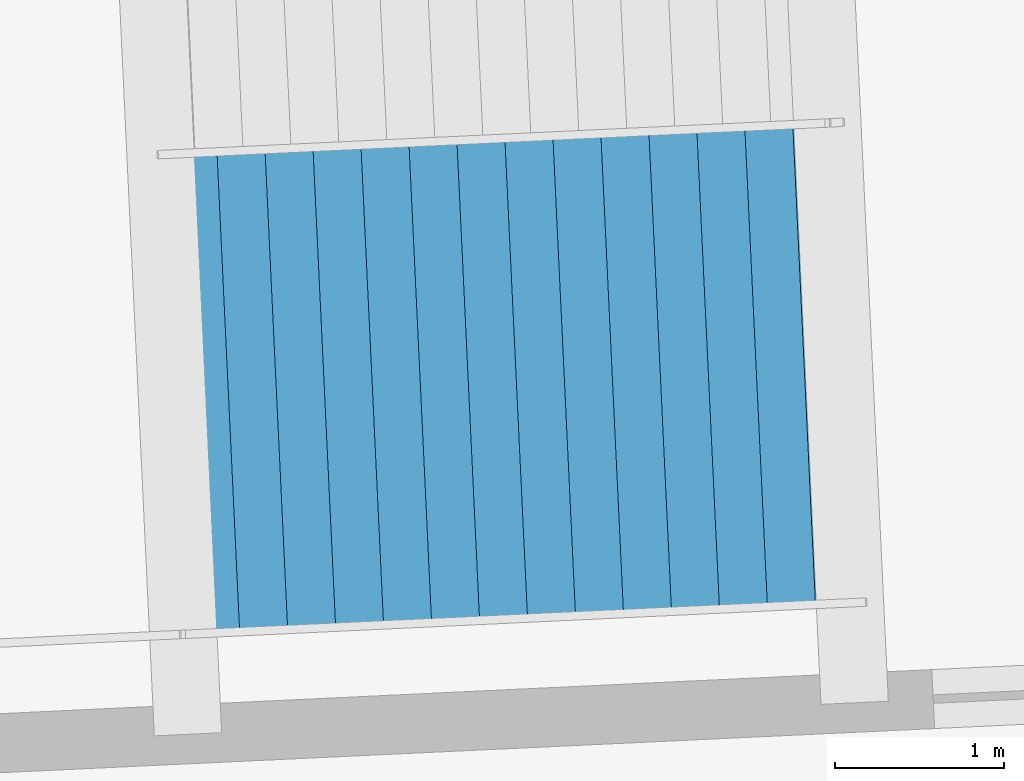
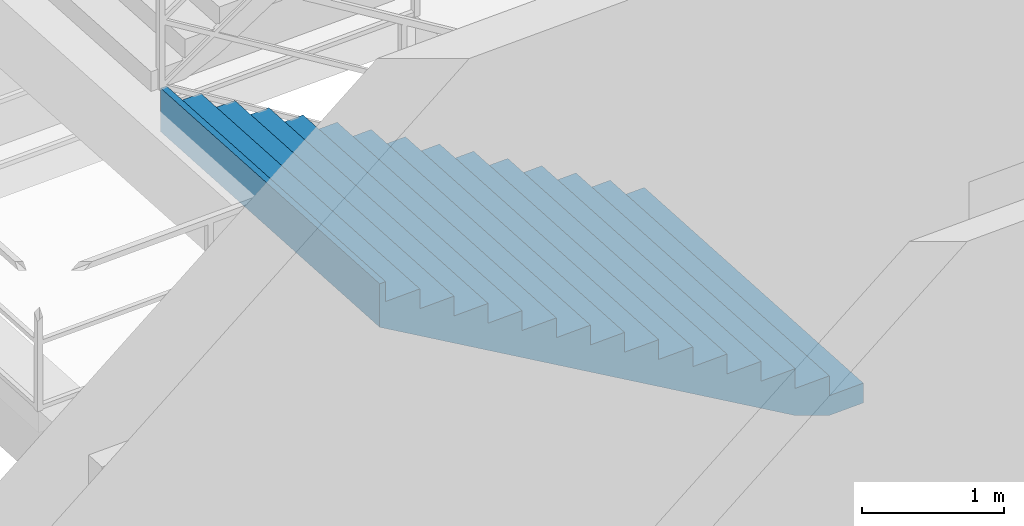
# One storey, part 171 of 184: 1 stair flight, 1 element without a shape of its own.
"""IFC4 building model written with IfcOpenShell, lengths in metres."""

from ifc_helpers import new_model, si_unit, direction, frame, origin, place, context, subcontext, project, spatial, polygons, material, type_object, element, aggregate, save


model = new_model("IFC4")

# Units and contexts
model_context = context("Model", 3, precision=1e-05, world=origin(), true_north=direction((0.0, 1.0)))
body_context = subcontext(model_context, "Body", "Model", "MODEL_VIEW")
ifc_project = project(units=[si_unit("LENGTHUNIT", "METRE"), si_unit("AREAUNIT", "SQUARE_METRE"), si_unit("VOLUMEUNIT", "CUBIC_METRE"), si_unit("PLANEANGLEUNIT", "RADIAN"), si_unit("MASSUNIT", "GRAM", prefix="KILO")], contexts=[model_context])

# Site, building, storey
site_placement = place(None, origin())
site = spatial("IfcSite", under=ifc_project, at=site_placement, CompositionType="ELEMENT")
building_placement = place(site_placement, origin())
building = spatial("IfcBuilding", under=site, at=building_placement, Name="Kazemori Nagisa Stadium", CompositionType="ELEMENT")
storey_placement = place(building_placement, frame((0.0, 0.0, 10.5400390625)))
storey = spatial("IfcBuildingStorey", under=building, at=storey_placement, Name="L02", CompositionType="ELEMENT", Elevation=10.5400390625)

# Stair, stair flight
ifc_material = material(Name="Concrete C36/45 (Fc36)", Category="concrete")
stair_type = type_object("IfcStairType", Name="Stair_CORE_30", PredefinedType="TWO_STRAIGHT_RUN_STAIR", material=ifc_material)
stair_placement = place(storey_placement, origin())
stair = element("IfcStair", 1, at=stair_placement, inside=storey, type_object=stair_type, Name="Exit stair ST05 L02", PredefinedType="TWO_STRAIGHT_RUN_STAIR")
stair_flight_type = type_object("IfcStairFlightType", Name="Flight_CORE_15", PredefinedType="STRAIGHT", material=ifc_material)
stair_flight_placement = place(storey_placement, frame((119.465087890625, 180.565673828125, 0.0), z_axis=(0.0, 0.0, 1.0), x_axis=(-0.99888372663, -0.047236645449, 0.0)))
stair_flight = element("IfcStairFlight", 2, at=stair_flight_placement, type_object=stair_flight_type, Name="Exit stair ST05 L02 flight 1", NumberOfRisers=15, NumberOfTreads=14, PredefinedType="STRAIGHT", RiserHeight=0.17, TreadLength=0.285, context=body_context, shape_type="Tessellation", body=[
    polygons([(0.0, -1.425048828125, 0.0), (0.0, -1.425048828125, 0.169921875), (0.284912109375, -1.425048828125, 0.169921875), (0.284912109375, -1.425048828125, 0.340087890625), (0.570068359375, -1.425048828125, 0.340087890625), (0.570068359375, -1.425048828125, 0.510009765625), (0.85498046875, -1.425048828125, 0.510009765625), (0.85498046875, -1.425048828125, 0.679931640625), (1.139892578125, -1.425048828125, 0.679931640625), (1.139892578125, -1.425048828125, 0.85009765625), (1.425048828125, -1.425048828125, 0.85009765625), (1.425048828125, -1.425048828125, 1.02001953125), (1.7099609375, -1.425048828125, 1.02001953125), (1.7099609375, -1.425048828125, 1.18994140625), (1.9951171875, -1.425048828125, 1.18994140625), (1.9951171875, -1.425048828125, 1.360107421875), (2.280029296875, -1.425048828125, 1.360107421875), (2.280029296875, -1.425048828125, 1.530029296875), (2.56494140625, -1.425048828125, 1.530029296875), (2.56494140625, -1.425048828125, 1.699951171875), (2.85009765625, -1.425048828125, 1.699951171875), (2.85009765625, -1.425048828125, 1.8701171875), (3.135009765625, -1.425048828125, 1.8701171875), (3.135009765625, -1.425048828125, 2.0400390625), (3.419921875, -1.425048828125, 2.0400390625), (3.419921875, -1.425048828125, 2.2099609375), (3.705078125, -1.425048828125, 2.2099609375), (3.705078125, -1.425048828125, 2.3798828125), (3.989990234375, -1.425048828125, 2.3798828125), (3.989990234375, -1.425048828125, 2.550048828125), (4.0400390625, -1.425048828125, 2.550048828125), (4.0400390625, -1.425048828125, 2.177001953125), (3.989990234375, -1.425048828125, 2.147216796875), (3.705078125, -1.425048828125, 1.977294921875), (3.419921875, -1.425048828125, 1.80712890625), (3.135009765625, -1.425048828125, 1.63720703125), (2.85009765625, -1.425048828125, 1.46728515625), (2.56494140625, -1.425048828125, 1.297119140625), (2.280029296875, -1.425048828125, 1.127197265625), (1.9951171875, -1.425048828125, 0.957275390625), (1.7099609375, -1.425048828125, 0.787109375), (1.425048828125, -1.425048828125, 0.6171875), (1.139892578125, -1.425048828125, 0.447265625), (0.85498046875, -1.425048828125, 0.277099609375), (0.570068359375, -1.425048828125, 0.107177734375), (0.284912109375, -1.425048828125, 0.0), (0.0, -0.08544921875, 0.0), (0.0, -0.08544921875, 0.169921875), (0.284912109375, -0.08544921875, 0.169921875), (0.284912109375, -0.08544921875, 0.340087890625), (0.570068359375, -0.08544921875, 0.340087890625), (0.570068359375, -0.08544921875, 0.510009765625), (0.85498046875, -0.08544921875, 0.510009765625), (0.85498046875, -0.08544921875, 0.679931640625), (1.139892578125, -0.08544921875, 0.679931640625), (1.139892578125, -0.08544921875, 0.85009765625), (1.425048828125, -0.08544921875, 0.85009765625), (1.425048828125, -0.08544921875, 1.02001953125), (1.7099609375, -0.08544921875, 1.02001953125), (1.7099609375, -0.08544921875, 1.18994140625), (1.9951171875, -0.08544921875, 1.18994140625), (1.9951171875, -0.08544921875, 1.360107421875), (2.280029296875, -0.08544921875, 1.360107421875), (2.280029296875, -0.08544921875, 1.530029296875), (2.56494140625, -0.08544921875, 1.530029296875), (2.56494140625, -0.08544921875, 1.699951171875), (2.85009765625, -0.08544921875, 1.699951171875), (2.85009765625, -0.08544921875, 1.8701171875), (3.135009765625, -0.08544921875, 1.8701171875), (3.135009765625, -0.08544921875, 2.0400390625), (3.419921875, -0.08544921875, 2.0400390625), (3.419921875, -0.08544921875, 2.2099609375), (3.705078125, -0.08544921875, 2.2099609375), (3.705078125, -0.08544921875, 2.3798828125), (3.989990234375, -0.08544921875, 2.3798828125), (3.989990234375, -0.08544921875, 2.550048828125), (4.0400390625, -0.08544921875, 2.550048828125), (4.0400390625, -0.08544921875, 2.177001953125), (3.989990234375, -0.08544921875, 2.147216796875), (3.705078125, -0.08544921875, 1.977294921875), (3.419921875, -0.08544921875, 1.80712890625), (3.135009765625, -0.08544921875, 1.63720703125), (2.85009765625, -0.08544921875, 1.46728515625), (2.56494140625, -0.08544921875, 1.297119140625), (2.280029296875, -0.08544921875, 1.127197265625), (1.9951171875, -0.08544921875, 0.957275390625), (1.7099609375, -0.08544921875, 0.787109375), (1.425048828125, -0.08544921875, 0.6171875), (1.139892578125, -0.08544921875, 0.447265625), (0.85498046875, -0.08544921875, 0.277099609375), (0.570068359375, -0.08544921875, 0.107177734375), (0.284912109375, -0.08544921875, 0.0), (0.0, 0.0, 0.0), (0.0, 0.0, 0.169921875), (0.284912109375, 0.0, 0.169921875), (0.284912109375, 0.0, 0.340087890625), (0.570068359375, 0.0, 0.340087890625), (0.570068359375, 0.0, 0.510009765625), (0.85498046875, 0.0, 0.510009765625), (0.85498046875, 0.0, 0.679931640625), (1.139892578125, 0.0, 0.679931640625), (1.139892578125, 0.0, 0.85009765625), (1.425048828125, 0.0, 0.85009765625), (1.425048828125, 0.0, 1.02001953125), (1.7099609375, 0.0, 1.02001953125), (1.7099609375, 0.0, 1.18994140625), (1.9951171875, 0.0, 1.18994140625), (1.9951171875, 0.0, 1.360107421875), (2.280029296875, 0.0, 1.360107421875), (2.280029296875, 0.0, 1.530029296875), (2.56494140625, 0.0, 1.530029296875), (2.56494140625, 0.0, 1.699951171875), (2.85009765625, 0.0, 1.699951171875), (2.85009765625, 0.0, 1.8701171875), (3.135009765625, 0.0, 1.8701171875), (3.135009765625, 0.0, 2.0400390625), (3.419921875, 0.0, 2.0400390625), (3.419921875, 0.0, 2.2099609375), (3.705078125, 0.0, 2.2099609375), (3.705078125, 0.0, 2.3798828125), (3.989990234375, 0.0, 2.3798828125), (3.989990234375, 0.0, 2.550048828125), (4.0400390625, 0.0, 2.550048828125), (4.0400390625, 0.0, 2.177001953125), (3.989990234375, 0.0, 2.147216796875), (3.705078125, 0.0, 1.977294921875), (3.419921875, 0.0, 1.80712890625), (3.135009765625, 0.0, 1.63720703125), (2.85009765625, 0.0, 1.46728515625), (2.56494140625, 0.0, 1.297119140625), (2.280029296875, 0.0, 1.127197265625), (1.9951171875, 0.0, 0.957275390625), (1.7099609375, 0.0, 0.787109375), (1.425048828125, 0.0, 0.6171875), (1.139892578125, 0.0, 0.447265625), (0.85498046875, 0.0, 0.277099609375), (0.570068359375, 0.0, 0.107177734375), (0.284912109375, 0.0, 0.0), (0.0, 0.08544921875, 0.0), (0.0, 0.08544921875, 0.169921875), (0.284912109375, 0.08544921875, 0.169921875), (0.284912109375, 0.08544921875, 0.340087890625), (0.570068359375, 0.08544921875, 0.340087890625), (0.570068359375, 0.08544921875, 0.510009765625), (0.85498046875, 0.08544921875, 0.510009765625), (0.85498046875, 0.08544921875, 0.679931640625), (1.139892578125, 0.08544921875, 0.679931640625), (1.139892578125, 0.08544921875, 0.85009765625), (1.425048828125, 0.08544921875, 0.85009765625), (1.425048828125, 0.08544921875, 1.02001953125), (1.7099609375, 0.08544921875, 1.02001953125), (1.7099609375, 0.08544921875, 1.18994140625), (1.9951171875, 0.08544921875, 1.18994140625), (1.9951171875, 0.08544921875, 1.360107421875), (2.280029296875, 0.08544921875, 1.360107421875), (2.280029296875, 0.08544921875, 1.530029296875), (2.56494140625, 0.08544921875, 1.530029296875), (2.56494140625, 0.08544921875, 1.699951171875), (2.85009765625, 0.08544921875, 1.699951171875), (2.85009765625, 0.08544921875, 1.8701171875), (3.135009765625, 0.08544921875, 1.8701171875), (3.135009765625, 0.08544921875, 2.0400390625), (3.419921875, 0.08544921875, 2.0400390625), (3.419921875, 0.08544921875, 2.2099609375), (3.705078125, 0.08544921875, 2.2099609375), (3.705078125, 0.08544921875, 2.3798828125), (3.989990234375, 0.08544921875, 2.3798828125), (3.989990234375, 0.08544921875, 2.550048828125), (4.0400390625, 0.08544921875, 2.550048828125), (4.0400390625, 0.08544921875, 2.177001953125), (3.989990234375, 0.08544921875, 2.147216796875), (3.705078125, 0.08544921875, 1.977294921875), (3.419921875, 0.08544921875, 1.80712890625), (3.135009765625, 0.08544921875, 1.63720703125), (2.85009765625, 0.08544921875, 1.46728515625), (2.56494140625, 0.08544921875, 1.297119140625), (2.280029296875, 0.08544921875, 1.127197265625), (1.9951171875, 0.08544921875, 0.957275390625), (1.7099609375, 0.08544921875, 0.787109375), (1.425048828125, 0.08544921875, 0.6171875), (1.139892578125, 0.08544921875, 0.447265625), (0.85498046875, 0.08544921875, 0.277099609375), (0.570068359375, 0.08544921875, 0.107177734375), (0.284912109375, 0.08544921875, 0.0), (0.0, 1.425048828125, 0.0), (0.0, 1.425048828125, 0.169921875), (0.284912109375, 1.425048828125, 0.169921875), (0.284912109375, 1.425048828125, 0.340087890625), (0.570068359375, 1.425048828125, 0.340087890625), (0.570068359375, 1.425048828125, 0.510009765625), (0.85498046875, 1.425048828125, 0.510009765625), (0.85498046875, 1.425048828125, 0.679931640625), (1.139892578125, 1.425048828125, 0.679931640625), (1.139892578125, 1.425048828125, 0.85009765625), (1.425048828125, 1.425048828125, 0.85009765625), (1.425048828125, 1.425048828125, 1.02001953125), (1.7099609375, 1.425048828125, 1.02001953125), (1.7099609375, 1.425048828125, 1.18994140625), (1.9951171875, 1.425048828125, 1.18994140625), (1.9951171875, 1.425048828125, 1.360107421875), (2.280029296875, 1.425048828125, 1.360107421875), (2.280029296875, 1.425048828125, 1.530029296875), (2.56494140625, 1.425048828125, 1.530029296875), (2.56494140625, 1.425048828125, 1.699951171875), (2.85009765625, 1.425048828125, 1.699951171875), (2.85009765625, 1.425048828125, 1.8701171875), (3.135009765625, 1.425048828125, 1.8701171875), (3.135009765625, 1.425048828125, 2.0400390625), (3.419921875, 1.425048828125, 2.0400390625), (3.419921875, 1.425048828125, 2.2099609375), (3.705078125, 1.425048828125, 2.2099609375), (3.705078125, 1.425048828125, 2.3798828125), (3.989990234375, 1.425048828125, 2.3798828125), (3.989990234375, 1.425048828125, 2.550048828125), (4.0400390625, 1.425048828125, 2.550048828125), (4.0400390625, 1.425048828125, 2.177001953125), (3.989990234375, 1.425048828125, 2.147216796875), (3.705078125, 1.425048828125, 1.977294921875), (3.419921875, 1.425048828125, 1.80712890625), (3.135009765625, 1.425048828125, 1.63720703125), (2.85009765625, 1.425048828125, 1.46728515625), (2.56494140625, 1.425048828125, 1.297119140625), (2.280029296875, 1.425048828125, 1.127197265625), (1.9951171875, 1.425048828125, 0.957275390625), (1.7099609375, 1.425048828125, 0.787109375), (1.425048828125, 1.425048828125, 0.6171875), (1.139892578125, 1.425048828125, 0.447265625), (0.85498046875, 1.425048828125, 0.277099609375), (0.570068359375, 1.425048828125, 0.107177734375), (0.284912109375, 1.425048828125, 0.0)], [[[1, 2, 48]], [[1, 48, 47]], [[2, 3, 49]], [[2, 49, 48]], [[3, 4, 50]], [[3, 50, 49]], [[4, 5, 51]], [[4, 51, 50]], [[5, 6, 52]], [[5, 52, 51]], [[6, 7, 53]], [[6, 53, 52]], [[7, 8, 54]], [[7, 54, 53]], [[8, 9, 55]], [[8, 55, 54]], [[9, 10, 56]], [[9, 56, 55]], [[10, 11, 57]], [[10, 57, 56]], [[11, 12, 58]], [[11, 58, 57]], [[12, 13, 59]], [[12, 59, 58]], [[13, 14, 60]], [[13, 60, 59]], [[14, 15, 61]], [[14, 61, 60]], [[15, 16, 62]], [[15, 62, 61]], [[16, 17, 63]], [[16, 63, 62]], [[17, 18, 64]], [[17, 64, 63]], [[18, 19, 65]], [[18, 65, 64]], [[19, 20, 66]], [[19, 66, 65]], [[20, 21, 67]], [[20, 67, 66]], [[21, 22, 68]], [[21, 68, 67]], [[22, 23, 69]], [[22, 69, 68]], [[23, 24, 70]], [[23, 70, 69]], [[24, 25, 71]], [[24, 71, 70]], [[25, 26, 72]], [[25, 72, 71]], [[26, 27, 73]], [[26, 73, 72]], [[27, 28, 74]], [[27, 74, 73]], [[28, 29, 75]], [[28, 75, 74]], [[29, 30, 76]], [[29, 76, 75]], [[30, 31, 77]], [[30, 77, 76]], [[31, 32, 78]], [[31, 78, 77]], [[32, 33, 79]], [[32, 79, 78]], [[33, 34, 80]], [[33, 80, 79]], [[34, 35, 81]], [[34, 81, 80]], [[35, 36, 82]], [[35, 82, 81]], [[36, 37, 83]], [[36, 83, 82]], [[37, 38, 84]], [[37, 84, 83]], [[38, 39, 85]], [[38, 85, 84]], [[39, 40, 86]], [[39, 86, 85]], [[40, 41, 87]], [[40, 87, 86]], [[41, 42, 88]], [[41, 88, 87]], [[42, 43, 89]], [[42, 89, 88]], [[43, 44, 90]], [[43, 90, 89]], [[44, 45, 91]], [[44, 91, 90]], [[45, 46, 92]], [[45, 92, 91]], [[46, 1, 47]], [[46, 47, 92]], [[47, 48, 94]], [[47, 94, 93]], [[48, 49, 95]], [[48, 95, 94]], [[49, 50, 96]], [[49, 96, 95]], [[50, 51, 97]], [[50, 97, 96]], [[51, 52, 98]], [[51, 98, 97]], [[52, 53, 99]], [[52, 99, 98]], [[53, 54, 100]], [[53, 100, 99]], [[54, 55, 101]], [[54, 101, 100]], [[55, 56, 102]], [[55, 102, 101]], [[56, 57, 103]], [[56, 103, 102]], [[57, 58, 104]], [[57, 104, 103]], [[58, 59, 105]], [[58, 105, 104]], [[59, 60, 106]], [[59, 106, 105]], [[60, 61, 107]], [[60, 107, 106]], [[61, 62, 108]], [[61, 108, 107]], [[62, 63, 109]], [[62, 109, 108]], [[63, 64, 110]], [[63, 110, 109]], [[64, 65, 111]], [[64, 111, 110]], [[65, 66, 112]], [[65, 112, 111]], [[66, 67, 113]], [[66, 113, 112]], [[67, 68, 114]], [[67, 114, 113]], [[68, 69, 115]], [[68, 115, 114]], [[69, 70, 116]], [[69, 116, 115]], [[70, 71, 117]], [[70, 117, 116]], [[71, 72, 118]], [[71, 118, 117]], [[72, 73, 119]], [[72, 119, 118]], [[73, 74, 120]], [[73, 120, 119]], [[74, 75, 121]], [[74, 121, 120]], [[75, 76, 122]], [[75, 122, 121]], [[76, 77, 123]], [[76, 123, 122]], [[77, 78, 124]], [[77, 124, 123]], [[78, 79, 125]], [[78, 125, 124]], [[79, 80, 126]], [[79, 126, 125]], [[80, 81, 127]], [[80, 127, 126]], [[81, 82, 128]], [[81, 128, 127]], [[82, 83, 129]], [[82, 129, 128]], [[83, 84, 130]], [[83, 130, 129]], [[84, 85, 131]], [[84, 131, 130]], [[85, 86, 132]], [[85, 132, 131]], [[86, 87, 133]], [[86, 133, 132]], [[87, 88, 134]], [[87, 134, 133]], [[88, 89, 135]], [[88, 135, 134]], [[89, 90, 136]], [[89, 136, 135]], [[90, 91, 137]], [[90, 137, 136]], [[91, 92, 138]], [[91, 138, 137]], [[92, 47, 93]], [[92, 93, 138]], [[93, 94, 140]], [[93, 140, 139]], [[94, 95, 141]], [[94, 141, 140]], [[95, 96, 142]], [[95, 142, 141]], [[96, 97, 143]], [[96, 143, 142]], [[97, 98, 144]], [[97, 144, 143]], [[98, 99, 145]], [[98, 145, 144]], [[99, 100, 146]], [[99, 146, 145]], [[100, 101, 147]], [[100, 147, 146]], [[101, 102, 148]], [[101, 148, 147]], [[102, 103, 149]], [[102, 149, 148]], [[103, 104, 150]], [[103, 150, 149]], [[104, 105, 151]], [[104, 151, 150]], [[105, 106, 152]], [[105, 152, 151]], [[106, 107, 153]], [[106, 153, 152]], [[107, 108, 154]], [[107, 154, 153]], [[108, 109, 155]], [[108, 155, 154]], [[109, 110, 156]], [[109, 156, 155]], [[110, 111, 157]], [[110, 157, 156]], [[111, 112, 158]], [[111, 158, 157]], [[112, 113, 159]], [[112, 159, 158]], [[113, 114, 160]], [[113, 160, 159]], [[114, 115, 161]], [[114, 161, 160]], [[115, 116, 162]], [[115, 162, 161]], [[116, 117, 163]], [[116, 163, 162]], [[117, 118, 164]], [[117, 164, 163]], [[118, 119, 165]], [[118, 165, 164]], [[119, 120, 166]], [[119, 166, 165]], [[120, 121, 167]], [[120, 167, 166]], [[121, 122, 168]], [[121, 168, 167]], [[122, 123, 169]], [[122, 169, 168]], [[123, 124, 170]], [[123, 170, 169]], [[124, 125, 171]], [[124, 171, 170]], [[125, 126, 172]], [[125, 172, 171]], [[126, 127, 173]], [[126, 173, 172]], [[127, 128, 174]], [[127, 174, 173]], [[128, 129, 175]], [[128, 175, 174]], [[129, 130, 176]], [[129, 176, 175]], [[130, 131, 177]], [[130, 177, 176]], [[131, 132, 178]], [[131, 178, 177]], [[132, 133, 179]], [[132, 179, 178]], [[133, 134, 180]], [[133, 180, 179]], [[134, 135, 181]], [[134, 181, 180]], [[135, 136, 182]], [[135, 182, 181]], [[136, 137, 183]], [[136, 183, 182]], [[137, 138, 184]], [[137, 184, 183]], [[138, 93, 139]], [[138, 139, 184]], [[139, 140, 186]], [[139, 186, 185]], [[140, 141, 187]], [[140, 187, 186]], [[141, 142, 188]], [[141, 188, 187]], [[142, 143, 189]], [[142, 189, 188]], [[143, 144, 190]], [[143, 190, 189]], [[144, 145, 191]], [[144, 191, 190]], [[145, 146, 192]], [[145, 192, 191]], [[146, 147, 193]], [[146, 193, 192]], [[147, 148, 194]], [[147, 194, 193]], [[148, 149, 195]], [[148, 195, 194]], [[149, 150, 196]], [[149, 196, 195]], [[150, 151, 197]], [[150, 197, 196]], [[151, 152, 198]], [[151, 198, 197]], [[152, 153, 199]], [[152, 199, 198]], [[153, 154, 200]], [[153, 200, 199]], [[154, 155, 201]], [[154, 201, 200]], [[155, 156, 202]], [[155, 202, 201]], [[156, 157, 203]], [[156, 203, 202]], [[157, 158, 204]], [[157, 204, 203]], [[158, 159, 205]], [[158, 205, 204]], [[159, 160, 206]], [[159, 206, 205]], [[160, 161, 207]], [[160, 207, 206]], [[161, 162, 208]], [[161, 208, 207]], [[162, 163, 209]], [[162, 209, 208]], [[163, 164, 210]], [[163, 210, 209]], [[164, 165, 211]], [[164, 211, 210]], [[165, 166, 212]], [[165, 212, 211]], [[166, 167, 213]], [[166, 213, 212]], [[167, 168, 214]], [[167, 214, 213]], [[168, 169, 215]], [[168, 215, 214]], [[169, 170, 216]], [[169, 216, 215]], [[170, 171, 217]], [[170, 217, 216]], [[171, 172, 218]], [[171, 218, 217]], [[172, 173, 219]], [[172, 219, 218]], [[173, 174, 220]], [[173, 220, 219]], [[174, 175, 221]], [[174, 221, 220]], [[175, 176, 222]], [[175, 222, 221]], [[176, 177, 223]], [[176, 223, 222]], [[177, 178, 224]], [[177, 224, 223]], [[178, 179, 225]], [[178, 225, 224]], [[179, 180, 226]], [[179, 226, 225]], [[180, 181, 227]], [[180, 227, 226]], [[181, 182, 228]], [[181, 228, 227]], [[182, 183, 229]], [[182, 229, 228]], [[183, 184, 230]], [[183, 230, 229]], [[184, 139, 185]], [[184, 185, 230]], [[3, 2, 1]], [[185, 186, 187]], [[46, 3, 1]], [[185, 187, 230]], [[45, 3, 46]], [[230, 187, 229]], [[5, 3, 45]], [[229, 187, 189]], [[5, 4, 3]], [[187, 188, 189]], [[44, 5, 45]], [[229, 189, 228]], [[7, 5, 44]], [[228, 189, 191]], [[7, 6, 5]], [[189, 190, 191]], [[43, 7, 44]], [[228, 191, 227]], [[9, 7, 43]], [[227, 191, 193]], [[9, 8, 7]], [[191, 192, 193]], [[42, 9, 43]], [[227, 193, 226]], [[11, 9, 42]], [[226, 193, 195]], [[11, 10, 9]], [[193, 194, 195]], [[41, 11, 42]], [[226, 195, 225]], [[13, 11, 41]], [[225, 195, 197]], [[13, 12, 11]], [[195, 196, 197]], [[40, 13, 41]], [[225, 197, 224]], [[15, 13, 40]], [[224, 197, 199]], [[15, 14, 13]], [[197, 198, 199]], [[39, 15, 40]], [[224, 199, 223]], [[17, 15, 39]], [[223, 199, 201]], [[17, 16, 15]], [[199, 200, 201]], [[38, 17, 39]], [[223, 201, 222]], [[19, 17, 38]], [[222, 201, 203]], [[19, 18, 17]], [[201, 202, 203]], [[37, 19, 38]], [[222, 203, 221]], [[21, 19, 37]], [[221, 203, 205]], [[21, 20, 19]], [[203, 204, 205]], [[36, 21, 37]], [[221, 205, 220]], [[23, 21, 36]], [[220, 205, 207]], [[23, 22, 21]], [[205, 206, 207]], [[35, 23, 36]], [[220, 207, 219]], [[25, 23, 35]], [[219, 207, 209]], [[25, 24, 23]], [[207, 208, 209]], [[34, 25, 35]], [[219, 209, 218]], [[27, 25, 34]], [[218, 209, 211]], [[27, 26, 25]], [[209, 210, 211]], [[33, 27, 34]], [[218, 211, 217]], [[29, 27, 33]], [[217, 211, 213]], [[29, 28, 27]], [[211, 212, 213]], [[32, 29, 33]], [[217, 213, 216]], [[31, 29, 32]], [[216, 213, 215]], [[31, 30, 29]], [[213, 214, 215]]], closed=True),
])
aggregate(stair, [stair_flight])

save(model, "model.ifc")
